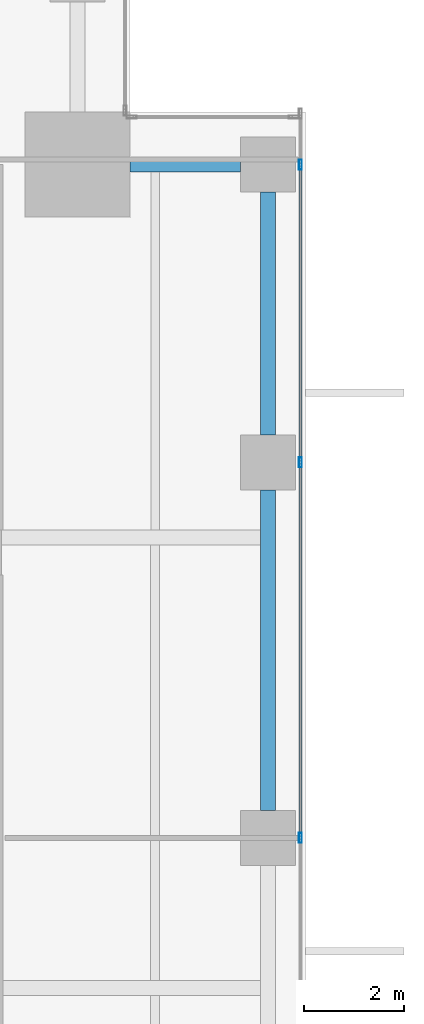
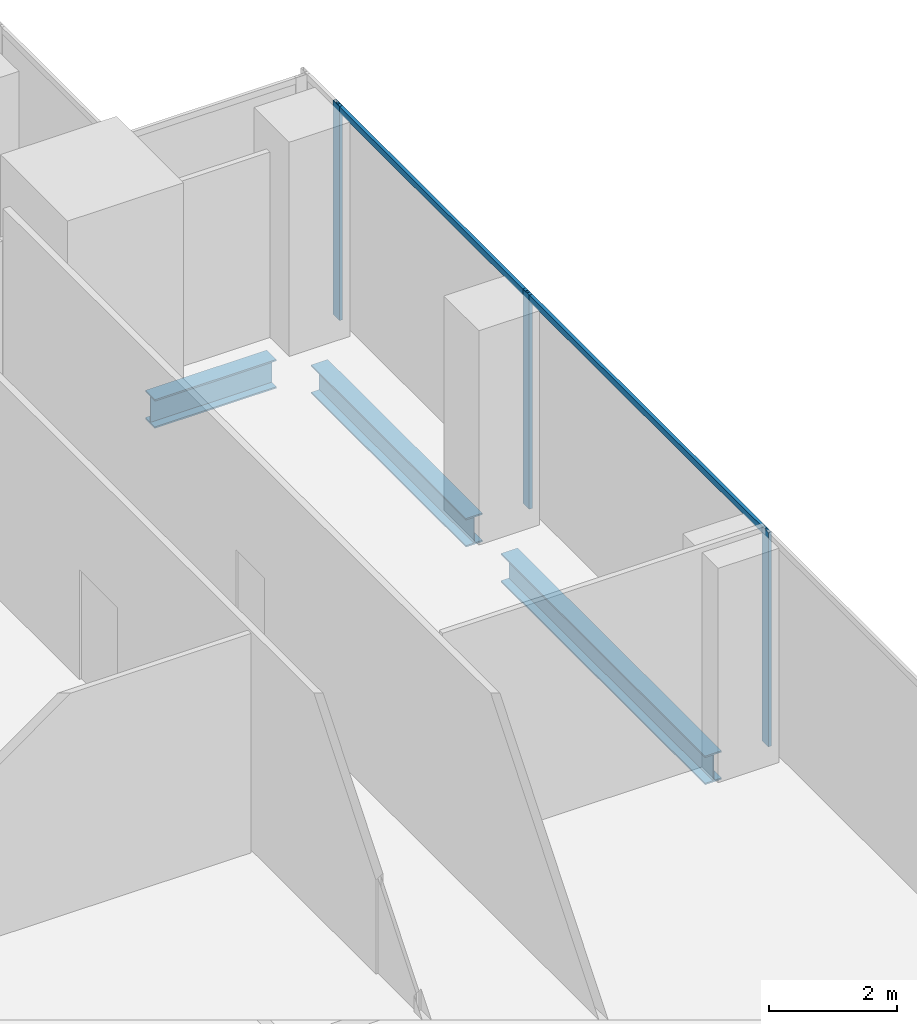
# One storey, part 19 of 34: 5 members, 3 beams, 1 element without a shape of its own.
"""IFC4 building model written with IfcOpenShell, lengths in metres."""

from ifc_helpers import new_model, si_unit, direction, frame, origin, origin_2d, place, context, subcontext, project, spatial, hollow_rectangle, i_section, extrude, source, transform, mapped, material, material_profile, profile_set, type_object, element, aggregate, save


model = new_model("IFC4")

# Units and contexts
model_context = context("Model", 3, precision=1e-05, world=origin(), true_north=direction((0.0, 1.0)))
body_context = subcontext(model_context, "Body", "Model", "MODEL_VIEW")
ifc_project = project(units=[si_unit("LENGTHUNIT", "METRE"), si_unit("AREAUNIT", "SQUARE_METRE"), si_unit("VOLUMEUNIT", "CUBIC_METRE"), si_unit("PLANEANGLEUNIT", "RADIAN"), si_unit("MASSUNIT", "GRAM", prefix="KILO")], contexts=[model_context])

# Site, building, storey
site_placement = place(None, origin())
site = spatial("IfcSite", under=ifc_project, at=site_placement, CompositionType="ELEMENT")
building_placement = place(site_placement, origin())
building = spatial("IfcBuilding", under=site, at=building_placement, Name="Khomas Fold Tower", CompositionType="ELEMENT")
storey_placement = place(building_placement, frame((0.0, 0.0, 123.5)))
storey = spatial("IfcBuildingStorey", under=building, at=storey_placement, Name="L26", CompositionType="ELEMENT", Elevation=123.5)

# Beams
ifc_material_1 = material(Name="Steel S355", Category="steel")
ifc_material_profile_1 = material_profile(ifc_material_1, i_section(OverallWidth=0.300048828125, OverallDepth=0.550048828125, WebThickness=0.014892578125, FlangeThickness=0.029052734375, at=origin_2d()), Name="HE 550 B")
ifc_profile_set_1 = profile_set([ifc_material_profile_1], Name="Steel S355")
beam_type = type_object("IfcBeamType", Name="HE 550 B spandrel SB2", PredefinedType="SPANDREL", material=ifc_profile_set_1)
shared_shape_1 = source(origin(), body_context, "Body", "SweptSolid", [
    extrude(i_section(OverallWidth=0.300048828125, OverallDepth=0.550048828125, WebThickness=0.014892578125, FlangeThickness=0.029052734375, at=origin_2d()), origin(), (0.0, 0.0, 1.0), 4.849853515625),
])
beam_1_placement = place(storey_placement, frame((51.75, 42.550048828125, -0.574951171875), z_axis=(0.0, 1.0, 0.0), x_axis=(-1.0, 0.0, 0.0)))
element("IfcBeam", 1, at=beam_1_placement, inside=storey, type_object=beam_type, Name="SB2", PredefinedType="SPANDREL", context=body_context, shape_type="MappedRepresentation", body=[
    mapped(shared_shape_1, transform((0.0, 0.0, 0.0))),
])
shared_shape_2 = source(origin(), body_context, "Body", "SweptSolid", [
    extrude(i_section(OverallWidth=0.300048828125, OverallDepth=0.550048828125, WebThickness=0.014892578125, FlangeThickness=0.029052734375, at=origin_2d()), origin(), (0.0, 0.0, 1.0), 6.39990234375),
])
beam_2_placement = place(storey_placement, frame((51.75, 35.050048828125, -0.574951171875), z_axis=(0.0, 1.0, 0.0), x_axis=(-1.0, 0.0, 0.0)))
element("IfcBeam", 2, at=beam_2_placement, inside=storey, type_object=beam_type, Name="SB2", PredefinedType="SPANDREL", context=body_context, shape_type="MappedRepresentation", body=[
    mapped(shared_shape_2, transform((0.0, 0.0, 0.0))),
])
shared_shape_3 = source(origin(), body_context, "Body", "SweptSolid", [
    extrude(i_section(OverallWidth=0.300048828125, OverallDepth=0.550048828125, WebThickness=0.014892578125, FlangeThickness=0.029052734375, at=origin_2d()), origin(), (0.0, 0.0, 1.0), 2.199951171875),
])
beam_3_placement = place(storey_placement, frame((49.0, 47.949951171875, -0.574951171875), z_axis=(1.0, 0.0, 0.0), x_axis=(0.0, 1.0, 0.0)))
element("IfcBeam", 3, at=beam_3_placement, inside=storey, type_object=beam_type, Name="SB2", PredefinedType="SPANDREL", context=body_context, shape_type="MappedRepresentation", body=[
    mapped(shared_shape_3, transform((0.0, 0.0, 0.0))),
])

# Curtain wall, members
ifc_material_2 = material(Name="Aluminium framed double glazing", Category="aluminium")
curtain_wall_type = type_object("IfcCurtainWallType", Name="SK-Unitised clear-glass wall, growing floors CW1", PredefinedType="NOTDEFINED", material=ifc_material_2)
curtain_wall_placement = place(storey_placement, origin())
curtain_wall = element("IfcCurtainWall", 4, at=curtain_wall_placement, inside=storey, type_object=curtain_wall_type, Name="CW1 run L26 03-0", PredefinedType="NOTDEFINED")
ifc_material_3 = material(Name="Aluminium", Category="aluminium")
ifc_material_profile_2 = material_profile(ifc_material_3, hollow_rectangle(XDim=0.06005859375, YDim=0.1201171875, WallThickness=0.00390625, at=origin_2d()), Name="SK-Unitised clear-glass wall, growing floors transom CW1-T")
ifc_profile_set_2 = profile_set([ifc_material_profile_2], Name="Aluminium")
member_type_1 = type_object("IfcMemberType", Name="SK-Unitised clear-glass wall, growing floors transom CW1-T", PredefinedType="USERDEFINED", material=ifc_profile_set_2)
shared_shape_4 = source(origin(), body_context, "Body", "SweptSolid", [
    extrude(hollow_rectangle(XDim=0.06005859375, YDim=0.1201171875, WallThickness=0.00390625, at=origin_2d()), origin(), (0.0, 0.0, 1.0), 7.43994140625),
])
member_1_placement = place(storey_placement, frame((52.39990234375, 34.530029296875, 4.0400390625), z_axis=(0.0, 1.0, 0.0), x_axis=(-1.0, 0.0, 0.0)))
member_1 = element("IfcMember", 5, at=member_1_placement, type_object=member_type_1, Name="CW1 transom 6", ObjectType="TRANSOM", PredefinedType="USERDEFINED", context=body_context, shape_type="MappedRepresentation", body=[
    mapped(shared_shape_4, transform((0.0, 0.0, 0.0))),
])
ifc_material_4 = material(Name="Aluminium", Category="aluminium")
ifc_material_profile_3 = material_profile(ifc_material_4, hollow_rectangle(XDim=0.06005859375, YDim=0.199951171875, WallThickness=0.00390625, at=origin_2d()), Name="SK-Unitised clear-glass wall, growing floors mullion CW1-M")
ifc_profile_set_3 = profile_set([ifc_material_profile_3], Name="Aluminium")
member_type_2 = type_object("IfcMemberType", Name="SK-Unitised clear-glass wall, growing floors mullion CW1-M", PredefinedType="MULLION", material=ifc_profile_set_3)
shared_shape_5 = source(origin(), body_context, "Body", "SweptSolid", [
    extrude(hollow_rectangle(XDim=0.06005859375, YDim=0.199951171875, WallThickness=0.00390625, at=origin_2d()), origin(), (0.0, 0.0, 1.0), 4.10009765625),
])
member_2_placement = place(storey_placement, frame((52.39990234375, 34.5, 0.0), z_axis=(0.0, 0.0, 1.0), x_axis=(-1.0, 0.0, 0.0)))
member_2 = element("IfcMember", 6, at=member_2_placement, type_object=member_type_2, Name="CW1 mullion 6", PredefinedType="MULLION", context=body_context, shape_type="MappedRepresentation", body=[
    mapped(shared_shape_5, transform((0.0, 0.0, 0.0))),
])
member_3_placement = place(storey_placement, frame((52.39990234375, 42.0, 0.0), z_axis=(0.0, 0.0, 1.0), x_axis=(-1.0, 0.0, 0.0)))
member_3 = element("IfcMember", 7, at=member_3_placement, type_object=member_type_2, Name="CW1 mullion 7", PredefinedType="MULLION", context=body_context, shape_type="MappedRepresentation", body=[
    mapped(shared_shape_5, transform((0.0, 0.0, 0.0))),
])
member_4_placement = place(storey_placement, frame((52.39990234375, 47.949951171875, 0.0), z_axis=(0.0, 0.0, 1.0), x_axis=(-1.0, 0.0, 0.0)))
member_4 = element("IfcMember", 8, at=member_4_placement, type_object=member_type_2, Name="CW1 mullion 8", PredefinedType="MULLION", context=body_context, shape_type="MappedRepresentation", body=[
    mapped(shared_shape_5, transform((0.0, 0.0, 0.0))),
])
shared_shape_6 = source(origin(), body_context, "Body", "SweptSolid", [
    extrude(hollow_rectangle(XDim=0.06005859375, YDim=0.1201171875, WallThickness=0.00390625, at=origin_2d()), origin(), (0.0, 0.0, 1.0), 5.889892578125),
])
member_5_placement = place(storey_placement, frame((52.39990234375, 42.030029296875, 4.0400390625), z_axis=(0.0, 1.0, 0.0), x_axis=(-1.0, 0.0, 0.0)))
member_5 = element("IfcMember", 9, at=member_5_placement, type_object=member_type_1, Name="CW1 transom 7", ObjectType="TRANSOM", PredefinedType="USERDEFINED", context=body_context, shape_type="MappedRepresentation", body=[
    mapped(shared_shape_6, transform((0.0, 0.0, 0.0))),
])
aggregate(curtain_wall, [member_2, member_3, member_4, member_1, member_5])

save(model, "model.ifc")
